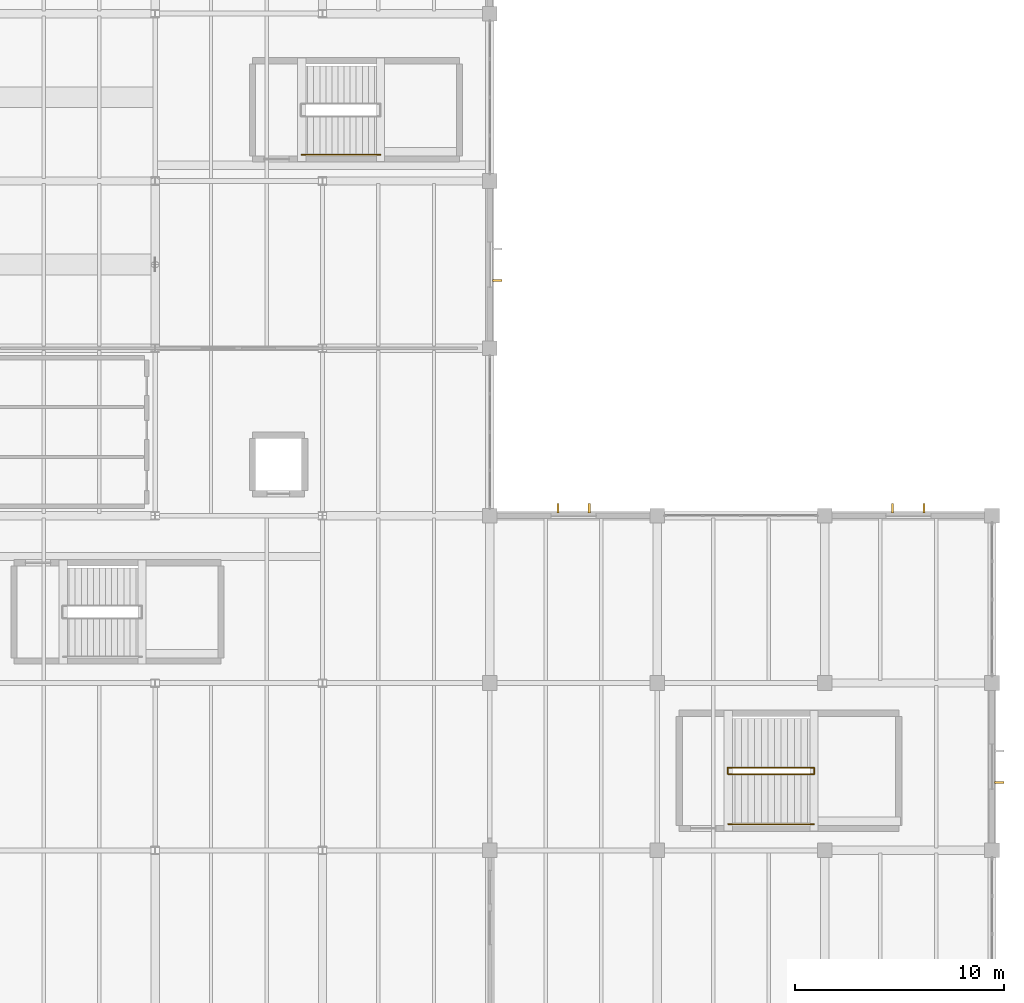
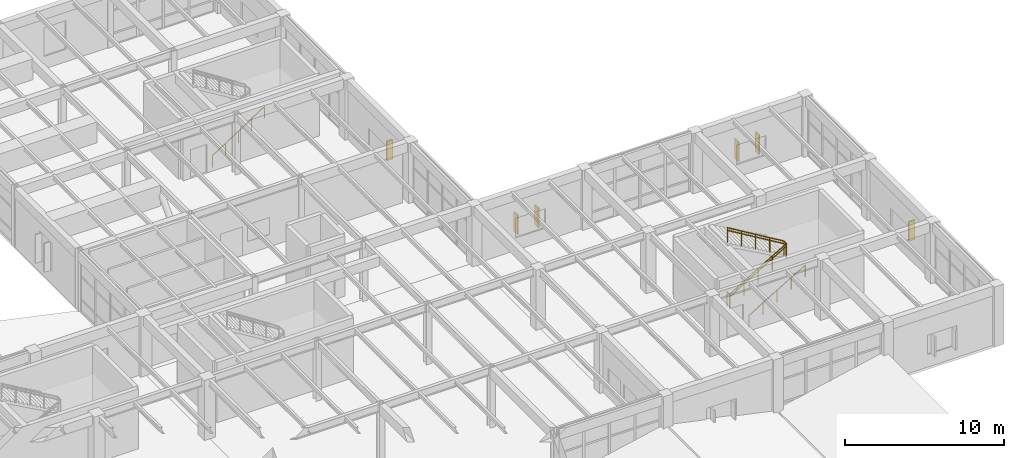
# One storey, part 59 of 60: 7 railings, 6 shading devices.
"""IFC4 building model written with IfcOpenShell, lengths in metres."""

from ifc_helpers import new_model, si_unit, direction, frame, origin, origin_2d, place, context, subcontext, project, spatial, rectangle, circle, extrude, material, type_object, element, save


model = new_model("IFC4")

# Units and contexts
model_context = context("Model", 3, precision=1e-05, world=origin(), true_north=direction((0.0, 1.0)))
body_context = subcontext(model_context, "Body", "Model", "MODEL_VIEW")
ifc_project = project(units=[si_unit("LENGTHUNIT", "METRE"), si_unit("AREAUNIT", "SQUARE_METRE"), si_unit("VOLUMEUNIT", "CUBIC_METRE"), si_unit("PLANEANGLEUNIT", "RADIAN"), si_unit("MASSUNIT", "GRAM", prefix="KILO")], contexts=[model_context])

# Site, building, storey
site_placement = place(None, origin())
site = spatial("IfcSite", under=ifc_project, at=site_placement, CompositionType="ELEMENT")
building_placement = place(site_placement, origin())
building = spatial("IfcBuilding", under=site, at=building_placement, Name="Varnela Railside Interchange", CompositionType="ELEMENT")
storey_placement = place(building_placement, frame((0.0, 0.0, 6.300048828125)))
storey = spatial("IfcBuildingStorey", under=building, at=storey_placement, Name="L01", CompositionType="ELEMENT", Elevation=6.300048828125)

# Railings
ifc_material_1 = material(Name="Steel AR 350 (350 MPa)", Category="steel")
railing_type_1 = type_object("IfcRailingType", Name="Stair & Ramp Pitch Handrail HR-01", PredefinedType="HANDRAIL", material=ifc_material_1)
railing_1_placement = place(storey_placement, frame((151.39990234375, 49.64990234375, 0.0)))
element("IfcRailing", 1, at=railing_1_placement, inside=storey, type_object=railing_type_1, Name="Stair Handrail ST-E3 Flight 1 (RL-0309)", PredefinedType="HANDRAIL", context=body_context, shape_type="SweptSolid", body=[
    extrude(circle(Radius=0.02392578125, at=origin_2d()), frame((0.0, 0.0, 0.89599609375), z_axis=(0.858155786212, 0.0, 0.513389371327), x_axis=(0.0, 1.0, 0.0)), (0.0, 0.0, 1.0), 4.772216796875),
    extrude(circle(Radius=0.02099609375, at=origin_2d()), origin(), (0.0, 0.0, 1.0), 0.871826171875),
    extrude(circle(Radius=0.02099609375, at=origin_2d()), frame((1.02392578125, 0.0, 0.612548828125)), (0.0, 0.0, 1.0), 0.871826171875),
    extrude(circle(Radius=0.02099609375, at=origin_2d()), frame((2.047607421875, 0.0, 1.22509765625)), (0.0, 0.0, 1.0), 0.871826171875),
    extrude(circle(Radius=0.02099609375, at=origin_2d()), frame((3.0712890625, 0.0, 1.83740234375)), (0.0, 0.0, 1.0), 0.871826171875),
    extrude(circle(Radius=0.02099609375, at=origin_2d()), frame((4.09521484375, 0.0, 2.449951171875)), (0.0, 0.0, 1.0), 0.871826171875),
])
railing_2_placement = place(storey_placement, frame((155.4951171875, 49.949951171875, 2.449951171875)))
element("IfcRailing", 2, at=railing_2_placement, inside=storey, type_object=railing_type_1, Name="Stair Handrail ST-E3 Flight 2 (RL-0310)", PredefinedType="HANDRAIL", context=body_context, shape_type="SweptSolid", body=[
    extrude(circle(Radius=0.02392578125, at=origin_2d()), frame((0.0, 0.0, 0.89599609375), z_axis=(-0.858155786212, 0.0, 0.513389371327), x_axis=(0.0, -1.0, 0.0)), (0.0, 0.0, 1.0), 4.772216796875),
    extrude(circle(Radius=0.02099609375, at=origin_2d()), origin(), (0.0, 0.0, 1.0), 0.871826171875),
    extrude(circle(Radius=0.02099609375, at=origin_2d()), frame((-1.02392578125, 0.0, 0.612548828125)), (0.0, 0.0, 1.0), 0.871826171875),
    extrude(circle(Radius=0.02099609375, at=origin_2d()), frame((-2.047607421875, 0.0, 1.22509765625)), (0.0, 0.0, 1.0), 0.871826171875),
    extrude(circle(Radius=0.02099609375, at=origin_2d()), frame((-3.0712890625, 0.0, 1.83740234375)), (0.0, 0.0, 1.0), 0.871826171875),
    extrude(circle(Radius=0.02099609375, at=origin_2d()), frame((-4.09521484375, 0.0, 2.449951171875)), (0.0, 0.0, 1.0), 0.871826171875),
])
railing_type_2 = type_object("IfcRailingType", Name="Stair Well & Landing Guard GR-02", PredefinedType="GUARDRAIL", material=ifc_material_1)
railing_3_placement = place(storey_placement, frame((151.3701171875, 49.64990234375, 0.0)))
element("IfcRailing", 3, at=railing_3_placement, inside=storey, type_object=railing_type_2, Name="Stair Well Slot Guard ST-E3 on L01 (RL-0279)", PredefinedType="GUARDRAIL", context=body_context, shape_type="SweptSolid", body=[
    extrude(circle(Radius=0.02392578125, at=origin_2d()), frame((0.0, 0.0, 1.09619140625), z_axis=(0.0, 1.0, 0.0), x_axis=(-1.0, 0.0, 0.0)), (0.0, 0.0, 1.0), 0.300048828125),
    extrude(circle(Radius=0.02099609375, at=origin_2d()), origin(), (0.0, 0.0, 1.0), 1.072021484375),
    extrude(circle(Radius=0.02099609375, at=origin_2d()), frame((0.0, 0.300048828125, 0.0)), (0.0, 0.0, 1.0), 1.072021484375),
])
railing_4_placement = place(storey_placement, frame((151.39990234375, 49.64990234375, 0.0)))
element("IfcRailing", 4, at=railing_4_placement, inside=storey, type_object=railing_type_2, Name="Stair Guard ST-E3 Half-Landing (RL-0277)", PredefinedType="GUARDRAIL", context=body_context, shape_type="SweptSolid", body=[
    extrude(circle(Radius=0.02392578125, at=origin_2d()), frame((0.0, 0.0, 1.09619140625), z_axis=(0.858155786212, 0.0, 0.513389371327), x_axis=(0.0, 1.0, 0.0)), (0.0, 0.0, 1.0), 4.772216796875),
    extrude(circle(Radius=0.02392578125, at=origin_2d()), frame((4.09521484375, 0.0, 3.5458984375), z_axis=(0.0, 1.0, 0.0), x_axis=(-1.0, 0.0, 0.0)), (0.0, 0.0, 1.0), 0.300048828125),
    extrude(circle(Radius=0.02099609375, at=origin_2d()), origin(), (0.0, 0.0, 1.0), 1.072021484375),
    extrude(circle(Radius=0.02099609375, at=origin_2d()), frame((1.02392578125, 0.0, 0.612548828125)), (0.0, 0.0, 1.0), 1.072021484375),
    extrude(circle(Radius=0.02099609375, at=origin_2d()), frame((2.047607421875, 0.0, 1.22509765625)), (0.0, 0.0, 1.0), 1.072021484375),
    extrude(circle(Radius=0.02099609375, at=origin_2d()), frame((3.0712890625, 0.0, 1.83740234375)), (0.0, 0.0, 1.0), 1.072021484375),
    extrude(circle(Radius=0.02099609375, at=origin_2d()), frame((4.09521484375, 0.0, 2.449951171875)), (0.0, 0.0, 1.0), 1.072021484375),
    extrude(circle(Radius=0.02099609375, at=origin_2d()), frame((4.09521484375, 0.300048828125, 2.449951171875)), (0.0, 0.0, 1.0), 1.072021484375),
])
railing_5_placement = place(storey_placement, frame((155.4951171875, 49.949951171875, 2.449951171875)))
element("IfcRailing", 5, at=railing_5_placement, inside=storey, type_object=railing_type_2, Name="Stair Guard ST-E3 Upper Flight (RL-0278)", PredefinedType="GUARDRAIL", context=body_context, shape_type="SweptSolid", body=[
    extrude(circle(Radius=0.02392578125, at=origin_2d()), frame((0.0, 0.0, 1.09619140625), z_axis=(-0.858155786212, 0.0, 0.513389371327), x_axis=(0.0, -1.0, 0.0)), (0.0, 0.0, 1.0), 4.772216796875),
    extrude(circle(Radius=0.02099609375, at=origin_2d()), origin(), (0.0, 0.0, 1.0), 1.072021484375),
    extrude(circle(Radius=0.02099609375, at=origin_2d()), frame((-1.02392578125, 0.0, 0.612548828125)), (0.0, 0.0, 1.0), 1.072021484375),
    extrude(circle(Radius=0.02099609375, at=origin_2d()), frame((-2.047607421875, 0.0, 1.22509765625)), (0.0, 0.0, 1.0), 1.072021484375),
    extrude(circle(Radius=0.02099609375, at=origin_2d()), frame((-3.0712890625, 0.0, 1.83740234375)), (0.0, 0.0, 1.0), 1.072021484375),
    extrude(circle(Radius=0.02099609375, at=origin_2d()), frame((-4.09521484375, 0.0, 2.449951171875)), (0.0, 0.0, 1.0), 1.072021484375),
])

# Shading devices
ifc_material_2 = material(Name="Concrete C40 precast", Category="concrete")
shading_device_type = type_object("IfcShadingDeviceType", Name="Terracotta Vertical Sun Fin BS-02", PredefinedType="USERDEFINED", material=ifc_material_2)
for number, where, z_axis, x_axis, name in (
    (6, (140.35009765625, 73.24755859375, 0.949951171875), (0.0, 0.0, 1.0), (1.0, 0.0, 0.0), "Terracotta Vertical Sun Fin BS-02 (L01)"),
    (7, (143.24755859375, 62.35009765625, 0.949951171875), (0.0, 0.0, 1.0), (0.0, 1.0, 0.0), "Terracotta Vertical Sun Fin BS-02 (L01)"),
    (8, (144.75244140625, 62.35009765625, 0.949951171875), (0.0, 0.0, 1.0), (0.0, 1.0, 0.0), "Terracotta Vertical Sun Fin BS-02 (L01)"),
    (9, (159.24755859375, 62.35009765625, 0.949951171875), (0.0, 0.0, 1.0), (0.0, 1.0, 0.0), "Terracotta Vertical Sun Fin BS-02 (L01)"),
    (10, (160.75244140625, 62.35009765625, 0.949951171875), (0.0, 0.0, 1.0), (0.0, 1.0, 0.0), "Terracotta Vertical Sun Fin BS-02 (L01)"),
    (11, (164.35009765625, 49.24755859375, 0.949951171875), (0.0, 0.0, 1.0), (1.0, 0.0, 0.0), "Terracotta Vertical Sun Fin BS-02 (L01)"),
):
    element("IfcShadingDevice", number, at=place(storey_placement, frame(where, z_axis=z_axis, x_axis=x_axis)), inside=storey, type_object=shading_device_type, Name=name, ObjectType="FIN", PredefinedType="USERDEFINED", context=body_context, shape_type="SweptSolid", body=[
        extrude(rectangle(XDim=0.449951171875, YDim=0.10009765625, at=origin_2d()), origin(), (0.0, 0.0, 1.0), 1.5),
    ])

# Railings
railing_type_3 = type_object("IfcRailingType", Name="Wall-Mounted Stair Handrail HR-02", PredefinedType="HANDRAIL", material=ifc_material_1)
railing_6_placement = place(storey_placement, frame((131.0, 79.260009765625, 0.0)))
element("IfcRailing", 12, at=railing_6_placement, inside=storey, type_object=railing_type_3, Name="Wall Handrail ST-E2 Flight 1 (RL-0324)", PredefinedType="HANDRAIL", context=body_context, shape_type="SweptSolid", body=[
    extrude(circle(Radius=0.02392578125, at=origin_2d()), frame((0.0, 0.0, 0.89599609375), z_axis=(0.838500679196, 0.0, 0.544900551466), x_axis=(0.0, 1.0, 0.0)), (0.0, 0.0, 1.0), 4.49609375),
    extrude(circle(Radius=0.02099609375, at=origin_2d()), origin(), (0.0, 0.0, 1.0), 0.871826171875),
    extrude(circle(Radius=0.02099609375, at=origin_2d()), frame((0.9423828125, 0.0, 0.612548828125)), (0.0, 0.0, 1.0), 0.871826171875),
    extrude(circle(Radius=0.02099609375, at=origin_2d()), frame((1.885009765625, 0.0, 1.22509765625)), (0.0, 0.0, 1.0), 0.871826171875),
    extrude(circle(Radius=0.02099609375, at=origin_2d()), frame((2.82763671875, 0.0, 1.83740234375)), (0.0, 0.0, 1.0), 0.871826171875),
    extrude(circle(Radius=0.02099609375, at=origin_2d()), frame((3.77001953125, 0.0, 2.449951171875)), (0.0, 0.0, 1.0), 0.871826171875),
])
railing_7_placement = place(storey_placement, frame((151.39990234375, 47.260009765625, 0.0)))
element("IfcRailing", 13, at=railing_7_placement, inside=storey, type_object=railing_type_3, Name="Wall Handrail ST-E3 Flight 1 (RL-0325)", PredefinedType="HANDRAIL", context=body_context, shape_type="SweptSolid", body=[
    extrude(circle(Radius=0.02392578125, at=origin_2d()), frame((0.0, 0.0, 0.89599609375), z_axis=(0.858155786212, 0.0, 0.513389371327), x_axis=(0.0, 1.0, 0.0)), (0.0, 0.0, 1.0), 4.772216796875),
    extrude(circle(Radius=0.02099609375, at=origin_2d()), origin(), (0.0, 0.0, 1.0), 0.871826171875),
    extrude(circle(Radius=0.02099609375, at=origin_2d()), frame((1.02392578125, 0.0, 0.612548828125)), (0.0, 0.0, 1.0), 0.871826171875),
    extrude(circle(Radius=0.02099609375, at=origin_2d()), frame((2.047607421875, 0.0, 1.22509765625)), (0.0, 0.0, 1.0), 0.871826171875),
    extrude(circle(Radius=0.02099609375, at=origin_2d()), frame((3.0712890625, 0.0, 1.83740234375)), (0.0, 0.0, 1.0), 0.871826171875),
    extrude(circle(Radius=0.02099609375, at=origin_2d()), frame((4.09521484375, 0.0, 2.449951171875)), (0.0, 0.0, 1.0), 0.871826171875),
])

save(model, "model.ifc")
